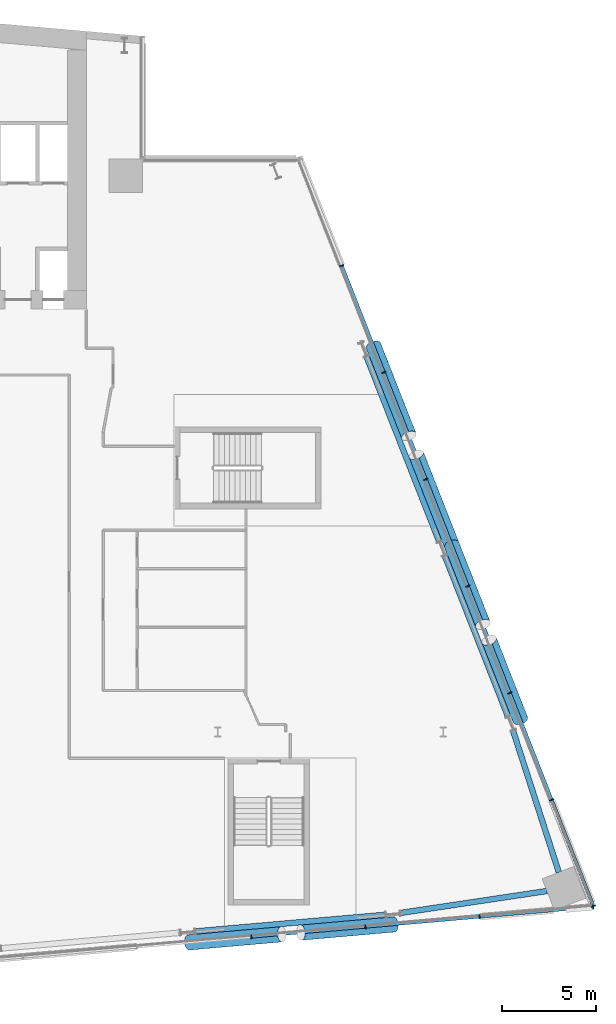
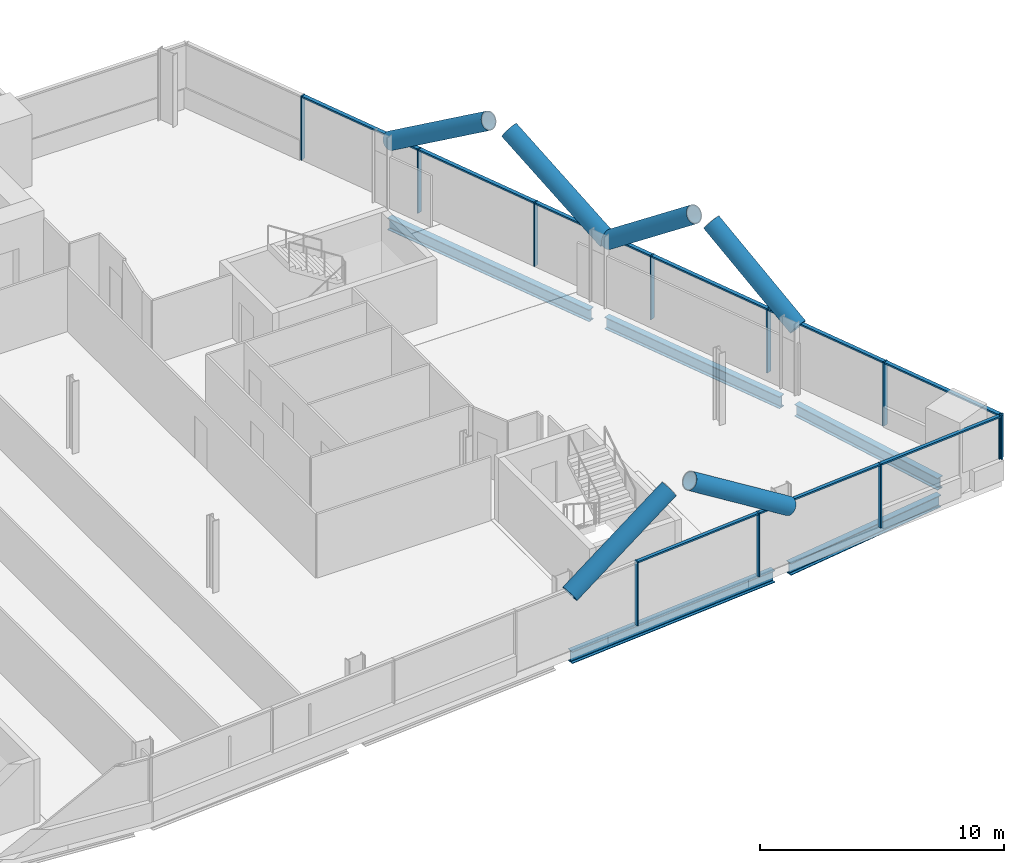
# One storey, part 10 of 25: 26 members, 5 beams, 2 elements without a shape of their own.
"""IFC4 building model written with IfcOpenShell, lengths in metres."""

import ifcopenshell
import ifcopenshell.guid

model = None  # the IFC model being written
_history = None  # IfcOwnerHistory: only IFC2X3 demands one
_inside = {}  # id of a spatial element -> (the spatial element, [elements in it])
_under = {}  # id of a project, library or spatial element -> (it, [spatial elements below it])
_declared = {}  # id of a project -> (the project, [libraries it declares])
_typed = {}  # id of a type object -> (the type object, [elements of that type])
_made_of = {}  # id of a material, layer set ... -> (it, [elements and type objects made of it])


def new_model(schema):
    """Start an empty IFC model of exactly this schema.

    Asked for "IFC4X3", IfcOpenShell would pick the latest addendum, in which some entities
    have other attributes; the version numbers below select the first issue.
    IFC2X3 requires an IfcOwnerHistory on every rooted entity: one is made here for all.
    """
    global model, _history
    if schema == "IFC4X3":
        model = ifcopenshell.file(schema_version=(4, 3, 0, 0))
    else:
        model = ifcopenshell.file(schema=schema)
    _inside.clear()
    _under.clear()
    _declared.clear()
    _typed.clear()
    _made_of.clear()
    _history = None
    if model.schema == "IFC2X3":
        org = make("IfcOrganization", Name="unknown")
        user = make(
            "IfcPersonAndOrganization",
            ThePerson=make("IfcPerson", FamilyName="unknown"),
            TheOrganization=org,
        )
        app = make(
            "IfcApplication",
            ApplicationDeveloper=org,
            Version="unknown",
            ApplicationFullName="unknown",
            ApplicationIdentifier="unknown",
        )
        _history = make(
            "IfcOwnerHistory",
            OwningUser=user,
            OwningApplication=app,
            ChangeAction="ADDED",
            CreationDate=0,
        )
    return model


def make(cls, **values):
    """One entity of the class cls with the attributes given. An attribute that is None is left unset."""
    return model.create_entity(
        cls, **{name: value for name, value in values.items() if value is not None}
    )


def rooted(cls, **values):
    """An entity with a GlobalId (a new one), such as an element, a storey or a relation."""
    return make(cls, GlobalId=ifcopenshell.guid.new(), OwnerHistory=_history, **values)


def si_unit(unit_type, name, prefix=None):
    """IfcSIUnit, for example si_unit("LENGTHUNIT", "METRE", prefix="MILLI")."""
    return make("IfcSIUnit", UnitType=unit_type, Prefix=prefix, Name=name)


def assignment(units):
    """IfcUnitAssignment: the units of a project."""
    return None if units is None else make("IfcUnitAssignment", Units=units)


def point(xyz):
    """IfcCartesianPoint."""
    return None if xyz is None else make("IfcCartesianPoint", Coordinates=xyz)


def direction(xyz):
    """IfcDirection."""
    return None if xyz is None else make("IfcDirection", DirectionRatios=xyz)


def frame(location, z_axis=None, x_axis=None):
    """IfcAxis2Placement3D, a coordinate frame: its origin and axes. An axis left out is left unset."""
    return make(
        "IfcAxis2Placement3D",
        Location=point(location),
        Axis=direction(z_axis),
        RefDirection=direction(x_axis),
    )


def frame_2d(location, x_axis=None):
    """IfcAxis2Placement2D, a coordinate frame in the plane: its origin and x axis."""
    return make(
        "IfcAxis2Placement2D", Location=point(location), RefDirection=direction(x_axis)
    )


def origin():
    """The frame at (0, 0, 0) with its axes left unset."""
    return frame((0.0, 0.0, 0.0))


def origin_2d():
    """The frame at (0, 0) in the plane with its x axis left unset."""
    return frame_2d((0.0, 0.0))


def place(relative_to, where):
    """IfcLocalPlacement: puts the frame where relative to a parent placement (None: the world)."""
    return make(
        "IfcLocalPlacement", PlacementRelTo=relative_to, RelativePlacement=where
    )


def context(
    kind, dimensions, precision=None, world=None, true_north=None, identifier=None
):
    """IfcGeometricRepresentationContext, for example the 3D "Model" context."""
    return make(
        "IfcGeometricRepresentationContext",
        ContextIdentifier=identifier,
        ContextType=kind,
        CoordinateSpaceDimension=dimensions,
        Precision=precision,
        WorldCoordinateSystem=world,
        TrueNorth=true_north,
    )


def subcontext(parent, identifier, kind, view, scale=None):
    """IfcGeometricRepresentationSubContext, for example "Body" below "Model"."""
    return make(
        "IfcGeometricRepresentationSubContext",
        ContextIdentifier=identifier,
        ContextType=kind,
        ParentContext=parent,
        TargetScale=scale,
        TargetView=view,
    )


def project(units=None, contexts=None):
    """IfcProject with its units and contexts."""
    return rooted(
        "IfcProject",
        Name="project",
        RepresentationContexts=contexts,
        UnitsInContext=assignment(units),
    )


def spatial(cls, under=None, at=None, **own):
    """A site, building, storey or space (cls), placed at a placement, below another one or the project."""
    s = rooted(cls, ObjectPlacement=at, **own)
    if under is not None:
        _under.setdefault(under.id(), (under, []))[1].append(s)
    return s


def profile(cls, at=None, kind="AREA", **sizes):
    """A parametric profile (cls). Its sizes go by their IFC names, for example OverallWidth=200.0."""
    return make(cls, ProfileType=kind, Position=at, **sizes)


def rectangle(**sizes):
    """IfcRectangleProfileDef."""
    return profile("IfcRectangleProfileDef", **sizes)


def hollow_circle(**sizes):
    """IfcCircleHollowProfileDef."""
    return profile("IfcCircleHollowProfileDef", **sizes)


def i_section(**sizes):
    """IfcIShapeProfileDef."""
    return profile("IfcIShapeProfileDef", **sizes)


def extrude(swept, where, along, depth):
    """IfcExtrudedAreaSolid: the profile swept, set in the frame where, extruded along a direction by depth."""
    return make(
        "IfcExtrudedAreaSolid",
        SweptArea=swept,
        Position=where,
        ExtrudedDirection=direction(along),
        Depth=depth,
    )


def shape(context_of_items, identifier, shape_type, items):
    """IfcShapeRepresentation: the items that make up one representation, for example the "Body"."""
    return make(
        "IfcShapeRepresentation",
        ContextOfItems=context_of_items,
        RepresentationIdentifier=identifier,
        RepresentationType=shape_type,
        Items=items,
    )


def material(Name=None, Category=None):
    """IfcMaterial."""
    return make("IfcMaterial", Name=Name, Category=Category)


def material_profile(
    of_material, cross_section, Name=None, Category=None, Priority=None
):
    """IfcMaterialProfile: a cross section and its material."""
    return make(
        "IfcMaterialProfile",
        Name=Name,
        Material=of_material,
        Profile=cross_section,
        Priority=Priority,
        Category=Category,
    )


def profile_set(profiles, Name=None, composite=None):
    """IfcMaterialProfileSet."""
    return make(
        "IfcMaterialProfileSet",
        Name=Name,
        MaterialProfiles=profiles,
        CompositeProfile=composite,
    )


def made_of(thing, what):
    """Note that an element or type object is made of a material, layer set ...; save() writes the relation."""
    if what is not None:
        _made_of.setdefault(what.id(), (what, []))[1].append(thing)
    return thing


def type_object(cls, material=None, **own):
    """A type object (cls), such as IfcWallType, which elements share."""
    return made_of(rooted(cls, **own), material)


def element(
    cls,
    number,
    at=None,
    inside=None,
    cuts=None,
    type_object=None,
    material=None,
    context=None,
    identifier="Body",
    shape_type=None,
    held_by="IfcProductDefinitionShape",
    body=None,
    shapes=None,
    **own,
):
    """One element of the class cls, such as IfcWall. Its Tag is "e" and its number.

    at: its placement. inside: the storey or other place that contains it. cuts: it is an
    opening in that element (IfcRelVoidsElement). A single representation is given by context,
    identifier, shape_type and body (its items); several are given by shapes. held_by: the class
    of the entity that holds the representations. save() writes the other relations.
    """
    e = rooted(cls, Tag="e%d" % number, ObjectPlacement=at, **own)
    if body is not None:
        shapes = [shape(context, identifier, shape_type, body)]
    if shapes is not None:
        e.Representation = make(held_by, Representations=shapes)
    if inside is not None:
        _inside.setdefault(inside.id(), (inside, []))[1].append(e)
    if cuts is not None:
        rooted(
            "IfcRelVoidsElement", RelatingBuildingElement=cuts, RelatedOpeningElement=e
        )
    if type_object is not None:
        _typed.setdefault(type_object.id(), (type_object, []))[1].append(e)
    return made_of(e, material)


def aggregate(whole, parts):
    """IfcRelAggregates: a whole, such as a stair, and the parts it consists of."""
    return rooted("IfcRelAggregates", RelatingObject=whole, RelatedObjects=parts)


def save(model, path):
    """Write the relations noted so far, then the file.

    IfcRelAggregates (storeys below a building ...), IfcRelContainedInSpatialStructure (elements
    in a storey), IfcRelDefinesByType, IfcRelAssociatesMaterial and IfcRelDeclares: one each for
    every whole, place, type object, material and project.
    """
    for whole, parts in _under.values():
        aggregate(whole, parts)
    for where, things in _inside.values():
        rooted(
            "IfcRelContainedInSpatialStructure",
            RelatedElements=things,
            RelatingStructure=where,
        )
    for kind, things in _typed.values():
        rooted("IfcRelDefinesByType", RelatedObjects=things, RelatingType=kind)
    for what, things in _made_of.values():
        rooted("IfcRelAssociatesMaterial", RelatedObjects=things, RelatingMaterial=what)
    for by, libraries in _declared.values():
        rooted("IfcRelDeclares", RelatingContext=by, RelatedDefinitions=libraries)
    model.write(path)


model = new_model("IFC4")

# Units and contexts
model_context = context("Model", 3, precision=1e-05, world=origin(), true_north=direction((0.0, 1.0)))
body_context = subcontext(model_context, "Body", "Model", "MODEL_VIEW")
ifc_project = project(units=[si_unit("LENGTHUNIT", "METRE"), si_unit("AREAUNIT", "SQUARE_METRE"), si_unit("VOLUMEUNIT", "CUBIC_METRE"), si_unit("PLANEANGLEUNIT", "RADIAN"), si_unit("MASSUNIT", "GRAM", prefix="KILO")], contexts=[model_context])

# Site, building, storey
site_placement = place(None, origin())
site = spatial("IfcSite", under=ifc_project, at=site_placement, CompositionType="ELEMENT")
building_placement = place(site_placement, origin())
building = spatial("IfcBuilding", under=site, at=building_placement, Name="Wharfspan Tower", CompositionType="ELEMENT")
storey_placement = place(building_placement, frame((0.0, 0.0, 121.899902)))
storey = spatial("IfcBuildingStorey", under=building, at=storey_placement, Name="L28", CompositionType="ELEMENT", Elevation=121.899902)

# Beams
ifc_material_1 = material(Name="Steel S355J2", Category="steel")
ifc_material_profile_1 = material_profile(ifc_material_1, i_section(OverallWidth=0.300049, OverallDepth=0.600098, WebThickness=0.015381, FlangeThickness=0.030029, FilletRadius=0.0271, at=origin_2d()))
ifc_profile_set_1 = profile_set([ifc_material_profile_1], Name="Steel S355J2")
beam_type = type_object("IfcBeamType", Name="Edge beam HEB 600", PredefinedType="SPANDREL", material=ifc_profile_set_1)
beam_1_placement = place(storey_placement, frame((70.805664, 0.887695, -0.699951), z_axis=(0.996194, 0.087159, 0.0), x_axis=(-0.087159, 0.996194, 0.0)))
element("IfcBeam", 1, at=beam_1_placement, inside=storey, type_object=beam_type, Name="Edge beam S2 L28 PS2.2 to PS2.3", PredefinedType="SPANDREL", context=body_context, shape_type="SweptSolid", body=[
    extrude(i_section(OverallWidth=0.300049, OverallDepth=0.600098, WebThickness=0.015381, FlangeThickness=0.030029, FilletRadius=0.0271, at=origin_2d()), origin(), (0.0, 0.0, 1.0), 10.159424),
])
beam_2_placement = place(storey_placement, frame((81.727295, 1.868408, -0.699951), z_axis=(0.988926, 0.148412, 0.0), x_axis=(-0.148412, 0.988926, 0.0)))
element("IfcBeam", 2, at=beam_2_placement, inside=storey, type_object=beam_type, Name="Edge beam S2 L28 PS2.3 to MC4", PredefinedType="SPANDREL", context=body_context, shape_type="SweptSolid", body=[
    extrude(i_section(OverallWidth=0.300049, OverallDepth=0.600098, WebThickness=0.015381, FlangeThickness=0.030029, FilletRadius=0.0271, at=origin_2d()), origin(), (0.0, 0.0, 1.0), 7.87793),
])
beam_3_placement = place(storey_placement, frame((90.150879, 4.02832, -0.699951), z_axis=(-0.307851, 0.951434, 0.0), x_axis=(-0.951434, -0.307851, 0.0)))
element("IfcBeam", 3, at=beam_3_placement, inside=storey, type_object=beam_type, Name="Edge beam E L28 MC4 to PE.1", PredefinedType="SPANDREL", context=body_context, shape_type="SweptSolid", body=[
    extrude(i_section(OverallWidth=0.300049, OverallDepth=0.600098, WebThickness=0.015381, FlangeThickness=0.030029, FilletRadius=0.0271, at=origin_2d()), origin(), (0.0, 0.0, 1.0), 7.924805),
])
beam_4_placement = place(storey_placement, frame((87.439453, 12.327637, -0.699951), z_axis=(-0.365779, 0.930702, 0.0), x_axis=(-0.930702, -0.365779, 0.0)))
element("IfcBeam", 4, at=beam_4_placement, inside=storey, type_object=beam_type, Name="Edge beam E L28 PE.1 to PE.2", PredefinedType="SPANDREL", context=body_context, shape_type="SweptSolid", body=[
    extrude(i_section(OverallWidth=0.300049, OverallDepth=0.600098, WebThickness=0.015381, FlangeThickness=0.030029, FilletRadius=0.0271, at=origin_2d()), origin(), (0.0, 0.0, 1.0), 9.184814),
])
beam_5_placement = place(storey_placement, frame((83.785156, 21.625977, -0.699951), z_axis=(-0.365789, 0.930698, 0.0), x_axis=(-0.930698, -0.365789, 0.0)))
element("IfcBeam", 5, at=beam_5_placement, inside=storey, type_object=beam_type, Name="Edge beam E L28 PE.2 to PE.3", PredefinedType="SPANDREL", context=body_context, shape_type="SweptSolid", body=[
    extrude(i_section(OverallWidth=0.300049, OverallDepth=0.600098, WebThickness=0.015381, FlangeThickness=0.030029, FilletRadius=0.0271, at=origin_2d()), origin(), (0.0, 0.0, 1.0), 10.584961),
])

# Curtain wall, members
ifc_material_2 = material(Name="Aluminium 6063-T6", Category="aluminium")
curtain_wall_type_1 = type_object("IfcCurtainWallType", Name="CURTAIN WALL FACETED FRONT", PredefinedType="NOTDEFINED", material=ifc_material_2)
curtain_wall_1_placement = place(storey_placement, origin())
curtain_wall_1 = element("IfcCurtainWall", 6, at=curtain_wall_1_placement, inside=storey, type_object=curtain_wall_type_1, Name="Curtain wall S2", PredefinedType="NOTDEFINED")
ifc_material_profile_2 = material_profile(ifc_material_2, rectangle(XDim=0.199951, YDim=0.060059, at=origin_2d()))
ifc_profile_set_2 = profile_set([ifc_material_profile_2], Name="Aluminium 6063-T6")
member_type_1 = type_object("IfcMemberType", Name="MULLION FACETED FRONT 60x200", PredefinedType="MULLION", material=ifc_profile_set_2)
member_1_placement = place(storey_placement, frame((73.785645, 0.606445, 0.0), z_axis=(0.0, 0.0, 1.0), x_axis=(-0.087156, 0.996198, 0.0)))
member_1 = element("IfcMember", 7, at=member_1_placement, type_object=member_type_1, Name="Curtain wall S2 mullion 5", PredefinedType="MULLION", context=body_context, shape_type="SweptSolid", body=[
    extrude(rectangle(XDim=0.199951, YDim=0.060059, at=origin_2d()), origin(), (0.0, 0.0, 1.0), 3.200195),
])
member_2_placement = place(storey_placement, frame((79.857178, 1.137695, 0.0), z_axis=(0.0, 0.0, 1.0), x_axis=(-0.087156, 0.996198, 0.0)))
member_2 = element("IfcMember", 8, at=member_2_placement, type_object=member_type_1, Name="Curtain wall S2 mullion 6", PredefinedType="MULLION", context=body_context, shape_type="SweptSolid", body=[
    extrude(rectangle(XDim=0.199951, YDim=0.060059, at=origin_2d()), origin(), (0.0, 0.0, 1.0), 3.200195),
])
member_3_placement = place(storey_placement, frame((85.928467, 1.668701, 0.0), z_axis=(0.0, 0.0, 1.0), x_axis=(-0.087156, 0.996198, 0.0)))
member_3 = element("IfcMember", 9, at=member_3_placement, type_object=member_type_1, Name="Curtain wall S2 mullion 7", PredefinedType="MULLION", context=body_context, shape_type="SweptSolid", body=[
    extrude(rectangle(XDim=0.199951, YDim=0.060059, at=origin_2d()), origin(), (0.0, 0.0, 1.0), 3.200195),
])
member_4_placement = place(storey_placement, frame((91.970215, 2.197266, 1.0), z_axis=(0.0, 0.0, 1.0), x_axis=(-0.087156, 0.996198, 0.0)))
member_4 = element("IfcMember", 10, at=member_4_placement, type_object=member_type_1, Name="Curtain wall S2 mullion 8", PredefinedType="MULLION", context=body_context, shape_type="SweptSolid", body=[
    extrude(rectangle(XDim=0.199951, YDim=0.060059, at=origin_2d()), origin(), (0.0, 0.0, 1.0), 2.200195),
])

curtain_wall_type_2 = type_object("IfcCurtainWallType", Name="CURTAIN WALL PROW AND END", PredefinedType="NOTDEFINED", material=ifc_material_2)
curtain_wall_2_placement = place(storey_placement, origin())
curtain_wall_2 = element("IfcCurtainWall", 11, at=curtain_wall_2_placement, inside=storey, type_object=curtain_wall_type_2, Name="Curtain wall E", PredefinedType="NOTDEFINED")
ifc_material_profile_3 = material_profile(ifc_material_2, rectangle(XDim=0.23999, YDim=0.060059, at=origin_2d()))
ifc_profile_set_3 = profile_set([ifc_material_profile_3], Name="Aluminium 6063-T6")
member_type_2 = type_object("IfcMemberType", Name="MULLION PROW AND END 60x240", PredefinedType="MULLION", material=ifc_profile_set_3)
member_5_placement = place(storey_placement, frame((91.989014, 2.228027, 1.0), z_axis=(0.0, 0.0, 1.0), x_axis=(-0.930702, -0.365778, 0.0)))
member_5 = element("IfcMember", 12, at=member_5_placement, type_object=member_type_2, Name="Curtain wall E mullion 1", PredefinedType="MULLION", context=body_context, shape_type="SweptSolid", body=[
    extrude(rectangle(XDim=0.23999, YDim=0.060059, at=origin_2d()), origin(), (0.0, 0.0, 1.0), 2.200195),
])
member_6_placement = place(storey_placement, frame((89.765381, 7.885742, 0.0), z_axis=(0.0, 0.0, 1.0), x_axis=(-0.930702, -0.365778, 0.0)))
member_6 = element("IfcMember", 13, at=member_6_placement, type_object=member_type_2, Name="Curtain wall E mullion 2", PredefinedType="MULLION", context=body_context, shape_type="SweptSolid", body=[
    extrude(rectangle(XDim=0.23999, YDim=0.060059, at=origin_2d()), origin(), (0.0, 0.0, 1.0), 3.200195),
])
member_7_placement = place(storey_placement, frame((87.530762, 13.571533, 0.0), z_axis=(0.0, 0.0, 1.0), x_axis=(-0.930702, -0.365778, 0.0)))
member_7 = element("IfcMember", 14, at=member_7_placement, type_object=member_type_2, Name="Curtain wall E mullion 3", PredefinedType="MULLION", context=body_context, shape_type="SweptSolid", body=[
    extrude(rectangle(XDim=0.23999, YDim=0.060059, at=origin_2d()), origin(), (0.0, 0.0, 1.0), 3.200195),
])
member_8_placement = place(storey_placement, frame((85.296387, 19.25708, 0.0), z_axis=(0.0, 0.0, 1.0), x_axis=(-0.930702, -0.365778, 0.0)))
member_8 = element("IfcMember", 15, at=member_8_placement, type_object=member_type_2, Name="Curtain wall E mullion 4", PredefinedType="MULLION", context=body_context, shape_type="SweptSolid", body=[
    extrude(rectangle(XDim=0.23999, YDim=0.060059, at=origin_2d()), origin(), (0.0, 0.0, 1.0), 3.200195),
])
member_9_placement = place(storey_placement, frame((83.061768, 24.942871, 0.0), z_axis=(0.0, 0.0, 1.0), x_axis=(-0.930702, -0.365778, 0.0)))
member_9 = element("IfcMember", 16, at=member_9_placement, type_object=member_type_2, Name="Curtain wall E mullion 5", PredefinedType="MULLION", context=body_context, shape_type="SweptSolid", body=[
    extrude(rectangle(XDim=0.23999, YDim=0.060059, at=origin_2d()), origin(), (0.0, 0.0, 1.0), 3.200195),
])
member_10_placement = place(storey_placement, frame((80.827148, 30.628662, 0.0), z_axis=(0.0, 0.0, 1.0), x_axis=(-0.930702, -0.365778, 0.0)))
member_10 = element("IfcMember", 17, at=member_10_placement, type_object=member_type_2, Name="Curtain wall E mullion 6", PredefinedType="MULLION", context=body_context, shape_type="SweptSolid", body=[
    extrude(rectangle(XDim=0.23999, YDim=0.060059, at=origin_2d()), origin(), (0.0, 0.0, 1.0), 3.200195),
])
member_11_placement = place(storey_placement, frame((78.592529, 36.314209, 0.0), z_axis=(0.0, 0.0, 1.0), x_axis=(-0.930702, -0.365778, 0.0)))
member_11 = element("IfcMember", 18, at=member_11_placement, type_object=member_type_2, Name="Curtain wall E mullion 7", PredefinedType="MULLION", context=body_context, shape_type="SweptSolid", body=[
    extrude(rectangle(XDim=0.23999, YDim=0.060059, at=origin_2d()), origin(), (0.0, 0.0, 1.0), 3.200195),
])

# Members
ifc_material_3 = material(Name="Steel S460NH", Category="steel")
ifc_material_profile_4 = material_profile(ifc_material_3, hollow_circle(Radius=0.406494, WallThickness=0.040039, at=origin_2d()))
ifc_profile_set_4 = profile_set([ifc_material_profile_4], Name="Steel S460NH")
member_type_3 = type_object("IfcMemberType", Name="Mega brace CHS 813x40", PredefinedType="BRACE", material=ifc_profile_set_4)
member_12_placement = place(storey_placement, frame((70.452393, 0.299805, 2.900146), z_axis=(0.832734, 0.072869, 0.548858), x_axis=(-0.087173, 0.99619, 1e-06)))
element("IfcMember", 19, at=member_12_placement, inside=storey, type_object=member_type_3, Name="Mega brace S2 L29 part 1", PredefinedType="BRACE", context=body_context, shape_type="SweptSolid", body=[
    extrude(hollow_circle(Radius=0.406494, WallThickness=0.040039, at=origin_2d()), origin(), (0.0, 0.0, 1.0), 5.943604),
])
member_13_placement = place(storey_placement, frame((81.376221, 1.255371, 2.900146), z_axis=(-0.832724, -0.07283, 0.548878), x_axis=(0.087128, -0.996197, 1e-06)))
element("IfcMember", 20, at=member_13_placement, inside=storey, type_object=member_type_3, Name="Mega brace S2 L29 part 3", PredefinedType="BRACE", context=body_context, shape_type="SweptSolid", body=[
    extrude(hollow_circle(Radius=0.406494, WallThickness=0.040039, at=origin_2d()), origin(), (0.0, 0.0, 1.0), 5.943359),
])
member_14_placement = place(storey_placement, frame((84.448975, 21.454102, 2.900146), z_axis=(-0.309187, 0.786719, 0.534301), x_axis=(-0.930704, -0.365777, 4e-06)))
element("IfcMember", 21, at=member_14_placement, inside=storey, type_object=member_type_3, Name="Mega brace E5 L29 part 1", PredefinedType="BRACE", context=body_context, shape_type="SweptSolid", body=[
    extrude(hollow_circle(Radius=0.406494, WallThickness=0.040039, at=origin_2d()), origin(), (0.0, 0.0, 1.0), 6.098145),
])
member_15_placement = place(storey_placement, frame((80.282471, 32.05542, 2.900146), z_axis=(0.309223, -0.786709, 0.534294), x_axis=(0.930685, 0.365812, -3e-06)))
element("IfcMember", 22, at=member_15_placement, inside=storey, type_object=member_type_3, Name="Mega brace E5 L29 part 3", PredefinedType="BRACE", context=body_context, shape_type="SweptSolid", body=[
    extrude(hollow_circle(Radius=0.406494, WallThickness=0.040039, at=origin_2d()), origin(), (0.0, 0.0, 1.0), 6.098389),
])
member_16_placement = place(storey_placement, frame((88.103516, 12.155518, 2.900146), z_axis=(-0.29676, 0.755051, 0.584664), x_axis=(-0.930695, -0.365797, 4e-06)))
element("IfcMember", 23, at=member_16_placement, inside=storey, type_object=member_type_3, Name="Mega brace E6 L29 part 1", PredefinedType="BRACE", context=body_context, shape_type="SweptSolid", body=[
    extrude(hollow_circle(Radius=0.406494, WallThickness=0.040039, at=origin_2d()), origin(), (0.0, 0.0, 1.0), 5.59668),
])
member_17_placement = place(storey_placement, frame((84.448975, 21.454102, 2.900146), z_axis=(0.29675, -0.75507, 0.584645), x_axis=(0.930704, 0.365779, 4e-06)))
element("IfcMember", 24, at=member_17_placement, inside=storey, type_object=member_type_3, Name="Mega brace E6 L29 part 3", PredefinedType="BRACE", context=body_context, shape_type="SweptSolid", body=[
    extrude(hollow_circle(Radius=0.406494, WallThickness=0.040039, at=origin_2d()), origin(), (0.0, 0.0, 1.0), 5.596924),
])

# Member
ifc_material_profile_5 = material_profile(ifc_material_2, rectangle(XDim=0.159912, YDim=0.080078, at=origin_2d()))
ifc_profile_set_5 = profile_set([ifc_material_profile_5], Name="Aluminium 6063-T6")
member_type_4 = type_object("IfcMemberType", Name="TRANSOM FACETED FRONT 80x160", PredefinedType="USERDEFINED", material=ifc_profile_set_5)
member_18_placement = place(storey_placement, frame((73.815674, 0.609131, 3.160156), z_axis=(0.996196, 0.087146, 0.0), x_axis=(-0.087146, 0.996196, 0.0)))
member_18 = element("IfcMember", 25, at=member_18_placement, type_object=member_type_4, Name="Curtain wall S2 transom 5", ObjectType="TRANSOM", PredefinedType="USERDEFINED", context=body_context, shape_type="SweptSolid", body=[
    extrude(rectangle(XDim=0.159912, YDim=0.080078, at=origin_2d()), origin(), (0.0, 0.0, 1.0), 6.034424),
])

member_19_placement = place(storey_placement, frame((79.886963, 1.140137, 3.160156), z_axis=(0.996192, 0.087183, 0.0), x_axis=(-0.087183, 0.996192, 0.0)))
member_19 = element("IfcMember", 26, at=member_19_placement, type_object=member_type_4, Name="Curtain wall S2 transom 6", ObjectType="TRANSOM", PredefinedType="USERDEFINED", context=body_context, shape_type="SweptSolid", body=[
    extrude(rectangle(XDim=0.159912, YDim=0.080078, at=origin_2d()), origin(), (0.0, 0.0, 1.0), 6.034668),
])

member_20_placement = place(storey_placement, frame((85.958496, 1.671387, 3.160156), z_axis=(0.996193, 0.087174, 0.0), x_axis=(-0.087174, 0.996193, 0.0)))
member_20 = element("IfcMember", 27, at=member_20_placement, type_object=member_type_4, Name="Curtain wall S2 transom 7", ObjectType="TRANSOM", PredefinedType="USERDEFINED", context=body_context, shape_type="SweptSolid", body=[
    extrude(rectangle(XDim=0.159912, YDim=0.080078, at=origin_2d()), origin(), (0.0, 0.0, 1.0), 6.004639),
])

aggregate(curtain_wall_1, [member_1, member_2, member_3, member_4, member_18, member_19, member_20])

ifc_material_profile_6 = material_profile(ifc_material_2, rectangle(XDim=0.179932, YDim=0.080078, at=origin_2d()))
ifc_profile_set_6 = profile_set([ifc_material_profile_6], Name="Aluminium 6063-T6")
member_type_5 = type_object("IfcMemberType", Name="TRANSOM PROW AND END 80x180", PredefinedType="USERDEFINED", material=ifc_profile_set_6)
member_21_placement = place(storey_placement, frame((91.978027, 2.255859, 3.160156), z_axis=(-0.365775, 0.930703, 0.0), x_axis=(-0.930703, -0.365775, 0.0)))
member_21 = element("IfcMember", 28, at=member_21_placement, type_object=member_type_5, Name="Curtain wall E transom 1", ObjectType="TRANSOM", PredefinedType="USERDEFINED", context=body_context, shape_type="SweptSolid", body=[
    extrude(rectangle(XDim=0.179932, YDim=0.080078, at=origin_2d()), origin(), (0.0, 0.0, 1.0), 6.019043),
])

member_22_placement = place(storey_placement, frame((89.754395, 7.913574, 3.160156), z_axis=(-0.365782, 0.9307, 0.0), x_axis=(-0.9307, -0.365782, 0.0)))
member_22 = element("IfcMember", 29, at=member_22_placement, type_object=member_type_5, Name="Curtain wall E transom 2", ObjectType="TRANSOM", PredefinedType="USERDEFINED", context=body_context, shape_type="SweptSolid", body=[
    extrude(rectangle(XDim=0.179932, YDim=0.080078, at=origin_2d()), origin(), (0.0, 0.0, 1.0), 6.049072),
])

member_23_placement = place(storey_placement, frame((87.52002, 13.599365, 3.160156), z_axis=(-0.365782, 0.9307, 0.0), x_axis=(-0.9307, -0.365782, 0.0)))
member_23 = element("IfcMember", 30, at=member_23_placement, type_object=member_type_5, Name="Curtain wall E transom 3", ObjectType="TRANSOM", PredefinedType="USERDEFINED", context=body_context, shape_type="SweptSolid", body=[
    extrude(rectangle(XDim=0.179932, YDim=0.080078, at=origin_2d()), origin(), (0.0, 0.0, 1.0), 6.049072),
])

member_24_placement = place(storey_placement, frame((85.2854, 19.285156, 3.160156), z_axis=(-0.365782, 0.9307, 0.0), x_axis=(-0.9307, -0.365782, 0.0)))
member_24 = element("IfcMember", 31, at=member_24_placement, type_object=member_type_5, Name="Curtain wall E transom 4", ObjectType="TRANSOM", PredefinedType="USERDEFINED", context=body_context, shape_type="SweptSolid", body=[
    extrude(rectangle(XDim=0.179932, YDim=0.080078, at=origin_2d()), origin(), (0.0, 0.0, 1.0), 6.049072),
])

member_25_placement = place(storey_placement, frame((83.050781, 24.970703, 3.160156), z_axis=(-0.365782, 0.9307, 0.0), x_axis=(-0.9307, -0.365782, 0.0)))
member_25 = element("IfcMember", 32, at=member_25_placement, type_object=member_type_5, Name="Curtain wall E transom 5", ObjectType="TRANSOM", PredefinedType="USERDEFINED", context=body_context, shape_type="SweptSolid", body=[
    extrude(rectangle(XDim=0.179932, YDim=0.080078, at=origin_2d()), origin(), (0.0, 0.0, 1.0), 6.049072),
])

member_26_placement = place(storey_placement, frame((80.816162, 30.656494, 3.160156), z_axis=(-0.365782, 0.9307, 0.0), x_axis=(-0.9307, -0.365782, 0.0)))
member_26 = element("IfcMember", 33, at=member_26_placement, type_object=member_type_5, Name="Curtain wall E transom 6", ObjectType="TRANSOM", PredefinedType="USERDEFINED", context=body_context, shape_type="SweptSolid", body=[
    extrude(rectangle(XDim=0.179932, YDim=0.080078, at=origin_2d()), origin(), (0.0, 0.0, 1.0), 6.049072),
])

aggregate(curtain_wall_2, [member_5, member_6, member_7, member_8, member_9, member_10, member_11, member_21, member_22, member_23, member_24, member_25, member_26])

save(model, "model.ifc")
